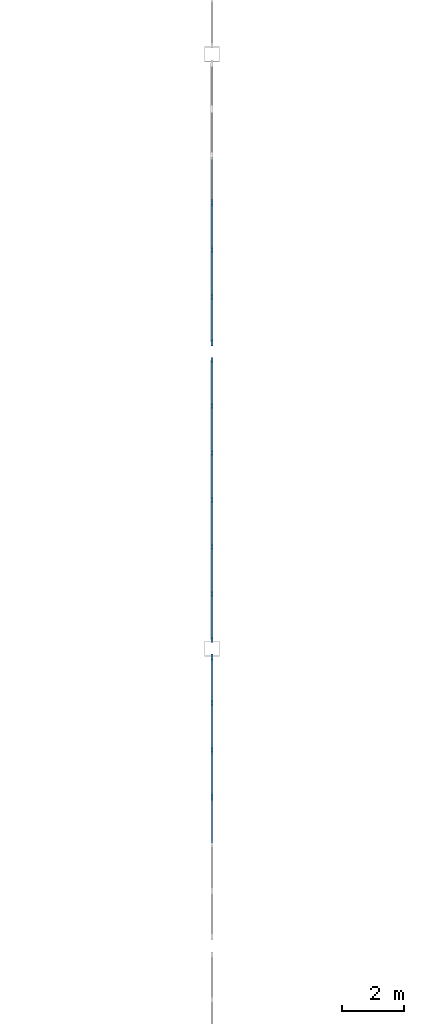
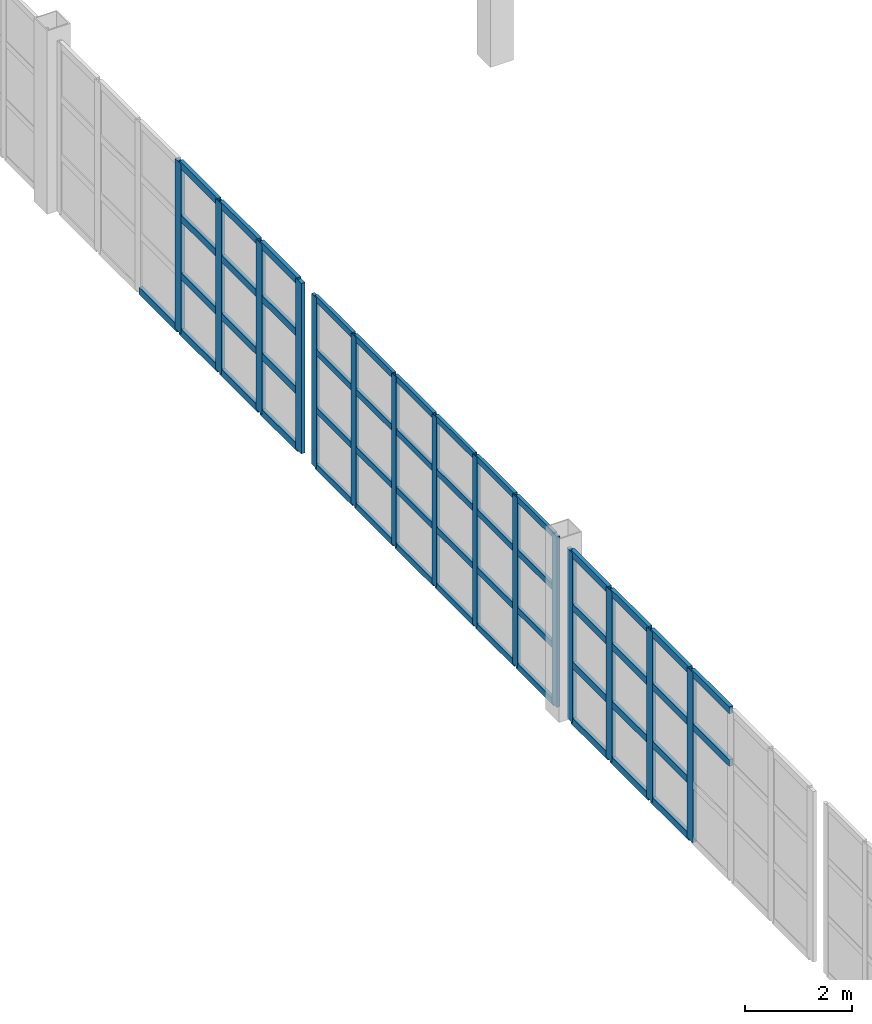
# One storey, part 32 of 82: 66 members, 3 elements without a shape of their own.
"""IFC4 building model written with IfcOpenShell, lengths in metres."""

from ifc_helpers import new_model, si_unit, direction, frame, origin, origin_2d, place, context, subcontext, project, spatial, rectangle, extrude, material, layer, layer_set, material_profile, profile_set, type_object, element, aggregate, save


model = new_model("IFC4")

# Units and contexts
model_context = context("Model", 3, precision=1e-05, world=origin(), true_north=direction((0.0, 1.0)))
body_context = subcontext(model_context, "Body", "Model", "MODEL_VIEW")
ifc_project = project(units=[si_unit("LENGTHUNIT", "METRE"), si_unit("AREAUNIT", "SQUARE_METRE"), si_unit("VOLUMEUNIT", "CUBIC_METRE"), si_unit("PLANEANGLEUNIT", "RADIAN"), si_unit("MASSUNIT", "GRAM", prefix="KILO")], contexts=[model_context])

# Site, building, storey
site_placement = place(None, origin())
site = spatial("IfcSite", under=ifc_project, at=site_placement, CompositionType="ELEMENT")
building_placement = place(site_placement, origin())
building = spatial("IfcBuilding", under=site, at=building_placement, Name="Zarnetskaya Central Station", CompositionType="ELEMENT")
storey_placement = place(building_placement, frame((0.0, 0.0, 10.199951171875)))
storey = spatial("IfcBuildingStorey", under=building, at=storey_placement, Name="L02", CompositionType="ELEMENT", Elevation=10.199951171875)

# Curtain wall, members
ifc_material_1 = material(Name="Low-E insulated glass", Category="glass")
ifc_layer = layer(ifc_material_1, 0.1640625, Name="Low-E insulated glass", Category="glass")
ifc_layer_set = layer_set([ifc_layer], Name="Low-E insulated glass")
curtain_wall_type = type_object("IfcCurtainWallType", Name="CW-SYS-12", PredefinedType="USERDEFINED", material=ifc_layer_set)
curtain_wall_1_placement = place(storey_placement, origin())
curtain_wall_1 = element("IfcCurtainWall", 1, at=curtain_wall_1_placement, inside=storey, type_object=curtain_wall_type, Name="Curtain wall CW-L02-165", ObjectType="CURTAIN WALL", PredefinedType="USERDEFINED")
ifc_material_2 = material(Name="Anodised aluminium", Category="aluminium")
ifc_material_profile_1 = material_profile(ifc_material_2, rectangle(XDim=0.070068359375, YDim=0.179931640625, at=origin_2d()), Name="ALU MULL 70x180")
ifc_profile_set_1 = profile_set([ifc_material_profile_1], Name="Anodised aluminium")
member_type_1 = type_object("IfcMemberType", Name="CW-MULL-180", PredefinedType="MULLION", material=ifc_profile_set_1)
member_1_placement = place(storey_placement, frame((57.60009765625, 86.68505859375, 0.0), z_axis=(0.0, 0.0, 1.0), x_axis=(-1.0, 0.0, 0.0)))
member_1 = element("IfcMember", 2, at=member_1_placement, type_object=member_type_1, Name="CW-18 mullion 1", PredefinedType="MULLION", context=body_context, shape_type="SweptSolid", body=[
    extrude(rectangle(XDim=0.070068359375, YDim=0.179931640625, at=origin_2d()), origin(), (0.0, 0.0, 1.0), 3.900146484375),
])
member_2_placement = place(storey_placement, frame((57.60009765625, 88.166748046875, 0.0), z_axis=(0.0, 0.0, 1.0), x_axis=(-1.0, 0.0, 0.0)))
member_2 = element("IfcMember", 3, at=member_2_placement, type_object=member_type_1, Name="CW-18 mullion 2", PredefinedType="MULLION", context=body_context, shape_type="SweptSolid", body=[
    extrude(rectangle(XDim=0.070068359375, YDim=0.179931640625, at=origin_2d()), origin(), (0.0, 0.0, 1.0), 3.900146484375),
])
member_3_placement = place(storey_placement, frame((57.60009765625, 89.683349609375, 0.0), z_axis=(0.0, 0.0, 1.0), x_axis=(-1.0, 0.0, 0.0)))
member_3 = element("IfcMember", 4, at=member_3_placement, type_object=member_type_1, Name="CW-18 mullion 3", PredefinedType="MULLION", context=body_context, shape_type="SweptSolid", body=[
    extrude(rectangle(XDim=0.070068359375, YDim=0.179931640625, at=origin_2d()), origin(), (0.0, 0.0, 1.0), 3.900146484375),
])
member_4_placement = place(storey_placement, frame((57.60009765625, 91.199951171875, 0.0), z_axis=(0.0, 0.0, 1.0), x_axis=(-1.0, 0.0, 0.0)))
member_4 = element("IfcMember", 5, at=member_4_placement, type_object=member_type_1, Name="CW-18 mullion 4", PredefinedType="MULLION", context=body_context, shape_type="SweptSolid", body=[
    extrude(rectangle(XDim=0.070068359375, YDim=0.179931640625, at=origin_2d()), origin(), (0.0, 0.0, 1.0), 3.900146484375),
])
member_5_placement = place(storey_placement, frame((57.60009765625, 92.716552734375, 0.0), z_axis=(0.0, 0.0, 1.0), x_axis=(-1.0, 0.0, 0.0)))
member_5 = element("IfcMember", 6, at=member_5_placement, type_object=member_type_1, Name="CW-18 mullion 5", PredefinedType="MULLION", context=body_context, shape_type="SweptSolid", body=[
    extrude(rectangle(XDim=0.070068359375, YDim=0.179931640625, at=origin_2d()), origin(), (0.0, 0.0, 1.0), 3.900146484375),
])
member_6_placement = place(storey_placement, frame((57.60009765625, 94.2333984375, 0.0), z_axis=(0.0, 0.0, 1.0), x_axis=(-1.0, 0.0, 0.0)))
member_6 = element("IfcMember", 7, at=member_6_placement, type_object=member_type_1, Name="CW-18 mullion 6", PredefinedType="MULLION", context=body_context, shape_type="SweptSolid", body=[
    extrude(rectangle(XDim=0.070068359375, YDim=0.179931640625, at=origin_2d()), origin(), (0.0, 0.0, 1.0), 3.900146484375),
])
member_7_placement = place(storey_placement, frame((57.60009765625, 95.715087890625, 0.0), z_axis=(0.0, 0.0, 1.0), x_axis=(-1.0, 0.0, 0.0)))
member_7 = element("IfcMember", 8, at=member_7_placement, type_object=member_type_1, Name="CW-18 mullion 7", PredefinedType="MULLION", context=body_context, shape_type="SweptSolid", body=[
    extrude(rectangle(XDim=0.070068359375, YDim=0.179931640625, at=origin_2d()), origin(), (0.0, 0.0, 1.0), 3.900146484375),
])

curtain_wall_2_placement = place(storey_placement, origin())
curtain_wall_2 = element("IfcCurtainWall", 9, at=curtain_wall_2_placement, inside=storey, type_object=curtain_wall_type, Name="Curtain wall CW-L02-164", ObjectType="CURTAIN WALL", PredefinedType="USERDEFINED")
ifc_material_profile_2 = material_profile(ifc_material_2, rectangle(XDim=0.080078125, YDim=0.219970703125, at=origin_2d()), Name="ALU MULL 80x220")
ifc_profile_set_2 = profile_set([ifc_material_profile_2], Name="Anodised aluminium")
member_type_2 = type_object("IfcMemberType", Name="CW-MULL-220", PredefinedType="MULLION", material=ifc_profile_set_2)
member_8_placement = place(storey_placement, frame((57.60009765625, 81.60009765625, 0.0), z_axis=(0.0, 0.0, 1.0), x_axis=(-1.0, 0.0, 0.0)))
member_8 = element("IfcMember", 10, at=member_8_placement, type_object=member_type_2, Name="CW-18 mullion 4", PredefinedType="MULLION", context=body_context, shape_type="SweptSolid", body=[
    extrude(rectangle(XDim=0.080078125, YDim=0.219970703125, at=origin_2d()), origin(), (0.0, 0.0, 1.0), 3.900146484375),
])
member_9_placement = place(storey_placement, frame((57.60009765625, 83.11669921875, 0.0), z_axis=(0.0, 0.0, 1.0), x_axis=(-1.0, 0.0, 0.0)))
member_9 = element("IfcMember", 11, at=member_9_placement, type_object=member_type_2, Name="CW-18 mullion 5", PredefinedType="MULLION", context=body_context, shape_type="SweptSolid", body=[
    extrude(rectangle(XDim=0.080078125, YDim=0.219970703125, at=origin_2d()), origin(), (0.0, 0.0, 1.0), 3.900146484375),
])
member_10_placement = place(storey_placement, frame((57.60009765625, 84.63330078125, 0.0), z_axis=(0.0, 0.0, 1.0), x_axis=(-1.0, 0.0, 0.0)))
member_10 = element("IfcMember", 12, at=member_10_placement, type_object=member_type_2, Name="CW-18 mullion 6", PredefinedType="MULLION", context=body_context, shape_type="SweptSolid", body=[
    extrude(rectangle(XDim=0.080078125, YDim=0.219970703125, at=origin_2d()), origin(), (0.0, 0.0, 1.0), 3.900146484375),
])
member_11_placement = place(storey_placement, frame((57.60009765625, 86.110107421875, 0.0), z_axis=(0.0, 0.0, 1.0), x_axis=(-1.0, 0.0, 0.0)))
member_11 = element("IfcMember", 13, at=member_11_placement, type_object=member_type_2, Name="CW-18 mullion 7", PredefinedType="MULLION", context=body_context, shape_type="SweptSolid", body=[
    extrude(rectangle(XDim=0.080078125, YDim=0.219970703125, at=origin_2d()), origin(), (0.0, 0.0, 1.0), 3.900146484375),
])

curtain_wall_3_placement = place(storey_placement, origin())
curtain_wall_3 = element("IfcCurtainWall", 14, at=curtain_wall_3_placement, inside=storey, type_object=curtain_wall_type, Name="Curtain wall CW-L02-166", ObjectType="CURTAIN WALL", PredefinedType="USERDEFINED")
member_12_placement = place(storey_placement, frame((57.60009765625, 96.2900390625, 0.0), z_axis=(0.0, 0.0, 1.0), x_axis=(-1.0, 0.0, 0.0)))
member_12 = element("IfcMember", 15, at=member_12_placement, type_object=member_type_2, Name="CW-18 mullion 1", PredefinedType="MULLION", context=body_context, shape_type="SweptSolid", body=[
    extrude(rectangle(XDim=0.080078125, YDim=0.219970703125, at=origin_2d()), origin(), (0.0, 0.0, 1.0), 3.900146484375),
])
member_13_placement = place(storey_placement, frame((57.60009765625, 97.7666015625, 0.0), z_axis=(0.0, 0.0, 1.0), x_axis=(-1.0, 0.0, 0.0)))
member_13 = element("IfcMember", 16, at=member_13_placement, type_object=member_type_2, Name="CW-18 mullion 2", PredefinedType="MULLION", context=body_context, shape_type="SweptSolid", body=[
    extrude(rectangle(XDim=0.080078125, YDim=0.219970703125, at=origin_2d()), origin(), (0.0, 0.0, 1.0), 3.900146484375),
])
member_14_placement = place(storey_placement, frame((57.60009765625, 99.283447265625, 0.0), z_axis=(0.0, 0.0, 1.0), x_axis=(-1.0, 0.0, 0.0)))
member_14 = element("IfcMember", 17, at=member_14_placement, type_object=member_type_2, Name="CW-18 mullion 3", PredefinedType="MULLION", context=body_context, shape_type="SweptSolid", body=[
    extrude(rectangle(XDim=0.080078125, YDim=0.219970703125, at=origin_2d()), origin(), (0.0, 0.0, 1.0), 3.900146484375),
])
member_15_placement = place(storey_placement, frame((57.60009765625, 100.800048828125, 0.0), z_axis=(0.0, 0.0, 1.0), x_axis=(-1.0, 0.0, 0.0)))
member_15 = element("IfcMember", 18, at=member_15_placement, type_object=member_type_2, Name="CW-18 mullion 4", PredefinedType="MULLION", context=body_context, shape_type="SweptSolid", body=[
    extrude(rectangle(XDim=0.080078125, YDim=0.219970703125, at=origin_2d()), origin(), (0.0, 0.0, 1.0), 3.900146484375),
])

# Member
ifc_material_profile_3 = material_profile(ifc_material_2, rectangle(XDim=0.070068359375, YDim=0.139892578125, at=origin_2d()), Name="ALU TRAN 70x140")
ifc_profile_set_3 = profile_set([ifc_material_profile_3], Name="Anodised aluminium")
member_type_3 = type_object("IfcMemberType", Name="CW-TRAN-140", PredefinedType="USERDEFINED", material=ifc_profile_set_3)
member_16_placement = place(storey_placement, frame((57.60009765625, 86.719970703125, 0.03515625), z_axis=(0.0, 1.0, 0.0), x_axis=(-1.0, 0.0, 0.0)))
member_16 = element("IfcMember", 19, at=member_16_placement, type_object=member_type_3, Name="CW-18 transom 1.1", ObjectType="TRANSOM", PredefinedType="USERDEFINED", context=body_context, shape_type="SweptSolid", body=[
    extrude(rectangle(XDim=0.070068359375, YDim=0.139892578125, at=origin_2d()), origin(), (0.0, 0.0, 1.0), 1.41162109375),
])

member_17_placement = place(storey_placement, frame((57.60009765625, 86.719970703125, 1.325927734375), z_axis=(0.0, 1.0, 0.0), x_axis=(-1.0, 0.0, 0.0)))
member_17 = element("IfcMember", 20, at=member_17_placement, type_object=member_type_3, Name="CW-18 transom 1.2", ObjectType="TRANSOM", PredefinedType="USERDEFINED", context=body_context, shape_type="SweptSolid", body=[
    extrude(rectangle(XDim=0.070068359375, YDim=0.139892578125, at=origin_2d()), origin(), (0.0, 0.0, 1.0), 1.41162109375),
])

member_18_placement = place(storey_placement, frame((57.60009765625, 86.719970703125, 2.652099609375), z_axis=(0.0, 1.0, 0.0), x_axis=(-1.0, 0.0, 0.0)))
member_18 = element("IfcMember", 21, at=member_18_placement, type_object=member_type_3, Name="CW-18 transom 1.3", ObjectType="TRANSOM", PredefinedType="USERDEFINED", context=body_context, shape_type="SweptSolid", body=[
    extrude(rectangle(XDim=0.070068359375, YDim=0.139892578125, at=origin_2d()), origin(), (0.0, 0.0, 1.0), 1.41162109375),
])

member_19_placement = place(storey_placement, frame((57.60009765625, 86.719970703125, 3.864990234375), z_axis=(0.0, 1.0, 0.0), x_axis=(-1.0, 0.0, 0.0)))
member_19 = element("IfcMember", 22, at=member_19_placement, type_object=member_type_3, Name="CW-18 transom 1.4", ObjectType="TRANSOM", PredefinedType="USERDEFINED", context=body_context, shape_type="SweptSolid", body=[
    extrude(rectangle(XDim=0.070068359375, YDim=0.139892578125, at=origin_2d()), origin(), (0.0, 0.0, 1.0), 1.41162109375),
])

member_20_placement = place(storey_placement, frame((57.60009765625, 88.20166015625, 0.03515625), z_axis=(0.0, 1.0, 0.0), x_axis=(-1.0, 0.0, 0.0)))
member_20 = element("IfcMember", 23, at=member_20_placement, type_object=member_type_3, Name="CW-18 transom 2.1", ObjectType="TRANSOM", PredefinedType="USERDEFINED", context=body_context, shape_type="SweptSolid", body=[
    extrude(rectangle(XDim=0.070068359375, YDim=0.139892578125, at=origin_2d()), origin(), (0.0, 0.0, 1.0), 1.44677734375),
])

member_21_placement = place(storey_placement, frame((57.60009765625, 88.20166015625, 1.325927734375), z_axis=(0.0, 1.0, 0.0), x_axis=(-1.0, 0.0, 0.0)))
member_21 = element("IfcMember", 24, at=member_21_placement, type_object=member_type_3, Name="CW-18 transom 2.2", ObjectType="TRANSOM", PredefinedType="USERDEFINED", context=body_context, shape_type="SweptSolid", body=[
    extrude(rectangle(XDim=0.070068359375, YDim=0.139892578125, at=origin_2d()), origin(), (0.0, 0.0, 1.0), 1.44677734375),
])

member_22_placement = place(storey_placement, frame((57.60009765625, 88.20166015625, 2.652099609375), z_axis=(0.0, 1.0, 0.0), x_axis=(-1.0, 0.0, 0.0)))
member_22 = element("IfcMember", 25, at=member_22_placement, type_object=member_type_3, Name="CW-18 transom 2.3", ObjectType="TRANSOM", PredefinedType="USERDEFINED", context=body_context, shape_type="SweptSolid", body=[
    extrude(rectangle(XDim=0.070068359375, YDim=0.139892578125, at=origin_2d()), origin(), (0.0, 0.0, 1.0), 1.44677734375),
])

member_23_placement = place(storey_placement, frame((57.60009765625, 88.20166015625, 3.864990234375), z_axis=(0.0, 1.0, 0.0), x_axis=(-1.0, 0.0, 0.0)))
member_23 = element("IfcMember", 26, at=member_23_placement, type_object=member_type_3, Name="CW-18 transom 2.4", ObjectType="TRANSOM", PredefinedType="USERDEFINED", context=body_context, shape_type="SweptSolid", body=[
    extrude(rectangle(XDim=0.070068359375, YDim=0.139892578125, at=origin_2d()), origin(), (0.0, 0.0, 1.0), 1.44677734375),
])

member_24_placement = place(storey_placement, frame((57.60009765625, 89.71826171875, 0.03515625), z_axis=(0.0, 1.0, 0.0), x_axis=(-1.0, 0.0, 0.0)))
member_24 = element("IfcMember", 27, at=member_24_placement, type_object=member_type_3, Name="CW-18 transom 3.1", ObjectType="TRANSOM", PredefinedType="USERDEFINED", context=body_context, shape_type="SweptSolid", body=[
    extrude(rectangle(XDim=0.070068359375, YDim=0.139892578125, at=origin_2d()), origin(), (0.0, 0.0, 1.0), 1.44677734375),
])

member_25_placement = place(storey_placement, frame((57.60009765625, 89.71826171875, 1.325927734375), z_axis=(0.0, 1.0, 0.0), x_axis=(-1.0, 0.0, 0.0)))
member_25 = element("IfcMember", 28, at=member_25_placement, type_object=member_type_3, Name="CW-18 transom 3.2", ObjectType="TRANSOM", PredefinedType="USERDEFINED", context=body_context, shape_type="SweptSolid", body=[
    extrude(rectangle(XDim=0.070068359375, YDim=0.139892578125, at=origin_2d()), origin(), (0.0, 0.0, 1.0), 1.44677734375),
])

member_26_placement = place(storey_placement, frame((57.60009765625, 89.71826171875, 2.652099609375), z_axis=(0.0, 1.0, 0.0), x_axis=(-1.0, 0.0, 0.0)))
member_26 = element("IfcMember", 29, at=member_26_placement, type_object=member_type_3, Name="CW-18 transom 3.3", ObjectType="TRANSOM", PredefinedType="USERDEFINED", context=body_context, shape_type="SweptSolid", body=[
    extrude(rectangle(XDim=0.070068359375, YDim=0.139892578125, at=origin_2d()), origin(), (0.0, 0.0, 1.0), 1.44677734375),
])

member_27_placement = place(storey_placement, frame((57.60009765625, 89.71826171875, 3.864990234375), z_axis=(0.0, 1.0, 0.0), x_axis=(-1.0, 0.0, 0.0)))
member_27 = element("IfcMember", 30, at=member_27_placement, type_object=member_type_3, Name="CW-18 transom 3.4", ObjectType="TRANSOM", PredefinedType="USERDEFINED", context=body_context, shape_type="SweptSolid", body=[
    extrude(rectangle(XDim=0.070068359375, YDim=0.139892578125, at=origin_2d()), origin(), (0.0, 0.0, 1.0), 1.44677734375),
])

member_28_placement = place(storey_placement, frame((57.60009765625, 91.235107421875, 0.03515625), z_axis=(0.0, 1.0, 0.0), x_axis=(-1.0, 0.0, 0.0)))
member_28 = element("IfcMember", 31, at=member_28_placement, type_object=member_type_3, Name="CW-18 transom 4.1", ObjectType="TRANSOM", PredefinedType="USERDEFINED", context=body_context, shape_type="SweptSolid", body=[
    extrude(rectangle(XDim=0.070068359375, YDim=0.139892578125, at=origin_2d()), origin(), (0.0, 0.0, 1.0), 1.446533203125),
])

member_29_placement = place(storey_placement, frame((57.60009765625, 91.235107421875, 1.325927734375), z_axis=(0.0, 1.0, 0.0), x_axis=(-1.0, 0.0, 0.0)))
member_29 = element("IfcMember", 32, at=member_29_placement, type_object=member_type_3, Name="CW-18 transom 4.2", ObjectType="TRANSOM", PredefinedType="USERDEFINED", context=body_context, shape_type="SweptSolid", body=[
    extrude(rectangle(XDim=0.070068359375, YDim=0.139892578125, at=origin_2d()), origin(), (0.0, 0.0, 1.0), 1.446533203125),
])

member_30_placement = place(storey_placement, frame((57.60009765625, 91.235107421875, 2.652099609375), z_axis=(0.0, 1.0, 0.0), x_axis=(-1.0, 0.0, 0.0)))
member_30 = element("IfcMember", 33, at=member_30_placement, type_object=member_type_3, Name="CW-18 transom 4.3", ObjectType="TRANSOM", PredefinedType="USERDEFINED", context=body_context, shape_type="SweptSolid", body=[
    extrude(rectangle(XDim=0.070068359375, YDim=0.139892578125, at=origin_2d()), origin(), (0.0, 0.0, 1.0), 1.446533203125),
])

member_31_placement = place(storey_placement, frame((57.60009765625, 91.235107421875, 3.864990234375), z_axis=(0.0, 1.0, 0.0), x_axis=(-1.0, 0.0, 0.0)))
member_31 = element("IfcMember", 34, at=member_31_placement, type_object=member_type_3, Name="CW-18 transom 4.4", ObjectType="TRANSOM", PredefinedType="USERDEFINED", context=body_context, shape_type="SweptSolid", body=[
    extrude(rectangle(XDim=0.070068359375, YDim=0.139892578125, at=origin_2d()), origin(), (0.0, 0.0, 1.0), 1.446533203125),
])

member_32_placement = place(storey_placement, frame((57.60009765625, 92.751708984375, 0.03515625), z_axis=(0.0, 1.0, 0.0), x_axis=(-1.0, 0.0, 0.0)))
member_32 = element("IfcMember", 35, at=member_32_placement, type_object=member_type_3, Name="CW-18 transom 5.1", ObjectType="TRANSOM", PredefinedType="USERDEFINED", context=body_context, shape_type="SweptSolid", body=[
    extrude(rectangle(XDim=0.070068359375, YDim=0.139892578125, at=origin_2d()), origin(), (0.0, 0.0, 1.0), 1.446533203125),
])

member_33_placement = place(storey_placement, frame((57.60009765625, 92.751708984375, 1.325927734375), z_axis=(0.0, 1.0, 0.0), x_axis=(-1.0, 0.0, 0.0)))
member_33 = element("IfcMember", 36, at=member_33_placement, type_object=member_type_3, Name="CW-18 transom 5.2", ObjectType="TRANSOM", PredefinedType="USERDEFINED", context=body_context, shape_type="SweptSolid", body=[
    extrude(rectangle(XDim=0.070068359375, YDim=0.139892578125, at=origin_2d()), origin(), (0.0, 0.0, 1.0), 1.446533203125),
])

member_34_placement = place(storey_placement, frame((57.60009765625, 92.751708984375, 2.652099609375), z_axis=(0.0, 1.0, 0.0), x_axis=(-1.0, 0.0, 0.0)))
member_34 = element("IfcMember", 37, at=member_34_placement, type_object=member_type_3, Name="CW-18 transom 5.3", ObjectType="TRANSOM", PredefinedType="USERDEFINED", context=body_context, shape_type="SweptSolid", body=[
    extrude(rectangle(XDim=0.070068359375, YDim=0.139892578125, at=origin_2d()), origin(), (0.0, 0.0, 1.0), 1.446533203125),
])

member_35_placement = place(storey_placement, frame((57.60009765625, 92.751708984375, 3.864990234375), z_axis=(0.0, 1.0, 0.0), x_axis=(-1.0, 0.0, 0.0)))
member_35 = element("IfcMember", 38, at=member_35_placement, type_object=member_type_3, Name="CW-18 transom 5.4", ObjectType="TRANSOM", PredefinedType="USERDEFINED", context=body_context, shape_type="SweptSolid", body=[
    extrude(rectangle(XDim=0.070068359375, YDim=0.139892578125, at=origin_2d()), origin(), (0.0, 0.0, 1.0), 1.446533203125),
])

member_36_placement = place(storey_placement, frame((57.60009765625, 94.268310546875, 0.03515625), z_axis=(0.0, 1.0, 0.0), x_axis=(-1.0, 0.0, 0.0)))
member_36 = element("IfcMember", 39, at=member_36_placement, type_object=member_type_3, Name="CW-18 transom 6.1", ObjectType="TRANSOM", PredefinedType="USERDEFINED", context=body_context, shape_type="SweptSolid", body=[
    extrude(rectangle(XDim=0.070068359375, YDim=0.139892578125, at=origin_2d()), origin(), (0.0, 0.0, 1.0), 1.41162109375),
])

member_37_placement = place(storey_placement, frame((57.60009765625, 94.268310546875, 1.325927734375), z_axis=(0.0, 1.0, 0.0), x_axis=(-1.0, 0.0, 0.0)))
member_37 = element("IfcMember", 40, at=member_37_placement, type_object=member_type_3, Name="CW-18 transom 6.2", ObjectType="TRANSOM", PredefinedType="USERDEFINED", context=body_context, shape_type="SweptSolid", body=[
    extrude(rectangle(XDim=0.070068359375, YDim=0.139892578125, at=origin_2d()), origin(), (0.0, 0.0, 1.0), 1.41162109375),
])

member_38_placement = place(storey_placement, frame((57.60009765625, 94.268310546875, 2.652099609375), z_axis=(0.0, 1.0, 0.0), x_axis=(-1.0, 0.0, 0.0)))
member_38 = element("IfcMember", 41, at=member_38_placement, type_object=member_type_3, Name="CW-18 transom 6.3", ObjectType="TRANSOM", PredefinedType="USERDEFINED", context=body_context, shape_type="SweptSolid", body=[
    extrude(rectangle(XDim=0.070068359375, YDim=0.139892578125, at=origin_2d()), origin(), (0.0, 0.0, 1.0), 1.41162109375),
])

member_39_placement = place(storey_placement, frame((57.60009765625, 94.268310546875, 3.864990234375), z_axis=(0.0, 1.0, 0.0), x_axis=(-1.0, 0.0, 0.0)))
member_39 = element("IfcMember", 42, at=member_39_placement, type_object=member_type_3, Name="CW-18 transom 6.4", ObjectType="TRANSOM", PredefinedType="USERDEFINED", context=body_context, shape_type="SweptSolid", body=[
    extrude(rectangle(XDim=0.070068359375, YDim=0.139892578125, at=origin_2d()), origin(), (0.0, 0.0, 1.0), 1.41162109375),
])

aggregate(curtain_wall_1, [member_1, member_2, member_3, member_4, member_5, member_6, member_7, member_16, member_17, member_18, member_19, member_20, member_21, member_22, member_23, member_24, member_25, member_26, member_27, member_28, member_29, member_30, member_31, member_32, member_33, member_34, member_35, member_36, member_37, member_38, member_39])

ifc_material_profile_4 = material_profile(ifc_material_2, rectangle(XDim=0.080078125, YDim=0.159912109375, at=origin_2d()), Name="ALU TRAN 80x160")
ifc_profile_set_4 = profile_set([ifc_material_profile_4], Name="Anodised aluminium")
member_type_4 = type_object("IfcMemberType", Name="CW-TRAN-160", PredefinedType="USERDEFINED", material=ifc_profile_set_4)
member_40_placement = place(storey_placement, frame((57.60009765625, 80.123291015625, 2.652099609375), z_axis=(0.0, 1.0, 0.0), x_axis=(-1.0, 0.0, 0.0)))
member_40 = element("IfcMember", 43, at=member_40_placement, type_object=member_type_4, Name="CW-18 transom 3.3", ObjectType="TRANSOM", PredefinedType="USERDEFINED", context=body_context, shape_type="SweptSolid", body=[
    extrude(rectangle(XDim=0.080078125, YDim=0.159912109375, at=origin_2d()), origin(), (0.0, 0.0, 1.0), 1.436767578125),
])

member_41_placement = place(storey_placement, frame((57.60009765625, 80.123291015625, 3.860107421875), z_axis=(0.0, 1.0, 0.0), x_axis=(-1.0, 0.0, 0.0)))
member_41 = element("IfcMember", 44, at=member_41_placement, type_object=member_type_4, Name="CW-18 transom 3.4", ObjectType="TRANSOM", PredefinedType="USERDEFINED", context=body_context, shape_type="SweptSolid", body=[
    extrude(rectangle(XDim=0.080078125, YDim=0.159912109375, at=origin_2d()), origin(), (0.0, 0.0, 1.0), 1.436767578125),
])

member_42_placement = place(storey_placement, frame((57.60009765625, 81.639892578125, 0.0400390625), z_axis=(0.0, 1.0, 0.0), x_axis=(-1.0, 0.0, 0.0)))
member_42 = element("IfcMember", 45, at=member_42_placement, type_object=member_type_4, Name="CW-18 transom 4.1", ObjectType="TRANSOM", PredefinedType="USERDEFINED", context=body_context, shape_type="SweptSolid", body=[
    extrude(rectangle(XDim=0.080078125, YDim=0.159912109375, at=origin_2d()), origin(), (0.0, 0.0, 1.0), 1.436767578125),
])

member_43_placement = place(storey_placement, frame((57.60009765625, 81.639892578125, 1.325927734375), z_axis=(0.0, 1.0, 0.0), x_axis=(-1.0, 0.0, 0.0)))
member_43 = element("IfcMember", 46, at=member_43_placement, type_object=member_type_4, Name="CW-18 transom 4.2", ObjectType="TRANSOM", PredefinedType="USERDEFINED", context=body_context, shape_type="SweptSolid", body=[
    extrude(rectangle(XDim=0.080078125, YDim=0.159912109375, at=origin_2d()), origin(), (0.0, 0.0, 1.0), 1.436767578125),
])

member_44_placement = place(storey_placement, frame((57.60009765625, 81.639892578125, 2.652099609375), z_axis=(0.0, 1.0, 0.0), x_axis=(-1.0, 0.0, 0.0)))
member_44 = element("IfcMember", 47, at=member_44_placement, type_object=member_type_4, Name="CW-18 transom 4.3", ObjectType="TRANSOM", PredefinedType="USERDEFINED", context=body_context, shape_type="SweptSolid", body=[
    extrude(rectangle(XDim=0.080078125, YDim=0.159912109375, at=origin_2d()), origin(), (0.0, 0.0, 1.0), 1.436767578125),
])

member_45_placement = place(storey_placement, frame((57.60009765625, 81.639892578125, 3.860107421875), z_axis=(0.0, 1.0, 0.0), x_axis=(-1.0, 0.0, 0.0)))
member_45 = element("IfcMember", 48, at=member_45_placement, type_object=member_type_4, Name="CW-18 transom 4.4", ObjectType="TRANSOM", PredefinedType="USERDEFINED", context=body_context, shape_type="SweptSolid", body=[
    extrude(rectangle(XDim=0.080078125, YDim=0.159912109375, at=origin_2d()), origin(), (0.0, 0.0, 1.0), 1.436767578125),
])

member_46_placement = place(storey_placement, frame((57.60009765625, 83.15673828125, 0.0400390625), z_axis=(0.0, 1.0, 0.0), x_axis=(-1.0, 0.0, 0.0)))
member_46 = element("IfcMember", 49, at=member_46_placement, type_object=member_type_4, Name="CW-18 transom 5.1", ObjectType="TRANSOM", PredefinedType="USERDEFINED", context=body_context, shape_type="SweptSolid", body=[
    extrude(rectangle(XDim=0.080078125, YDim=0.159912109375, at=origin_2d()), origin(), (0.0, 0.0, 1.0), 1.4365234375),
])

member_47_placement = place(storey_placement, frame((57.60009765625, 83.15673828125, 1.325927734375), z_axis=(0.0, 1.0, 0.0), x_axis=(-1.0, 0.0, 0.0)))
member_47 = element("IfcMember", 50, at=member_47_placement, type_object=member_type_4, Name="CW-18 transom 5.2", ObjectType="TRANSOM", PredefinedType="USERDEFINED", context=body_context, shape_type="SweptSolid", body=[
    extrude(rectangle(XDim=0.080078125, YDim=0.159912109375, at=origin_2d()), origin(), (0.0, 0.0, 1.0), 1.4365234375),
])

member_48_placement = place(storey_placement, frame((57.60009765625, 83.15673828125, 2.652099609375), z_axis=(0.0, 1.0, 0.0), x_axis=(-1.0, 0.0, 0.0)))
member_48 = element("IfcMember", 51, at=member_48_placement, type_object=member_type_4, Name="CW-18 transom 5.3", ObjectType="TRANSOM", PredefinedType="USERDEFINED", context=body_context, shape_type="SweptSolid", body=[
    extrude(rectangle(XDim=0.080078125, YDim=0.159912109375, at=origin_2d()), origin(), (0.0, 0.0, 1.0), 1.4365234375),
])

member_49_placement = place(storey_placement, frame((57.60009765625, 83.15673828125, 3.860107421875), z_axis=(0.0, 1.0, 0.0), x_axis=(-1.0, 0.0, 0.0)))
member_49 = element("IfcMember", 52, at=member_49_placement, type_object=member_type_4, Name="CW-18 transom 5.4", ObjectType="TRANSOM", PredefinedType="USERDEFINED", context=body_context, shape_type="SweptSolid", body=[
    extrude(rectangle(XDim=0.080078125, YDim=0.159912109375, at=origin_2d()), origin(), (0.0, 0.0, 1.0), 1.4365234375),
])

member_50_placement = place(storey_placement, frame((57.60009765625, 84.67333984375, 0.0400390625), z_axis=(0.0, 1.0, 0.0), x_axis=(-1.0, 0.0, 0.0)))
member_50 = element("IfcMember", 53, at=member_50_placement, type_object=member_type_4, Name="CW-18 transom 6.1", ObjectType="TRANSOM", PredefinedType="USERDEFINED", context=body_context, shape_type="SweptSolid", body=[
    extrude(rectangle(XDim=0.080078125, YDim=0.159912109375, at=origin_2d()), origin(), (0.0, 0.0, 1.0), 1.396728515625),
])

member_51_placement = place(storey_placement, frame((57.60009765625, 84.67333984375, 1.325927734375), z_axis=(0.0, 1.0, 0.0), x_axis=(-1.0, 0.0, 0.0)))
member_51 = element("IfcMember", 54, at=member_51_placement, type_object=member_type_4, Name="CW-18 transom 6.2", ObjectType="TRANSOM", PredefinedType="USERDEFINED", context=body_context, shape_type="SweptSolid", body=[
    extrude(rectangle(XDim=0.080078125, YDim=0.159912109375, at=origin_2d()), origin(), (0.0, 0.0, 1.0), 1.396728515625),
])

member_52_placement = place(storey_placement, frame((57.60009765625, 84.67333984375, 2.652099609375), z_axis=(0.0, 1.0, 0.0), x_axis=(-1.0, 0.0, 0.0)))
member_52 = element("IfcMember", 55, at=member_52_placement, type_object=member_type_4, Name="CW-18 transom 6.3", ObjectType="TRANSOM", PredefinedType="USERDEFINED", context=body_context, shape_type="SweptSolid", body=[
    extrude(rectangle(XDim=0.080078125, YDim=0.159912109375, at=origin_2d()), origin(), (0.0, 0.0, 1.0), 1.396728515625),
])

member_53_placement = place(storey_placement, frame((57.60009765625, 84.67333984375, 3.860107421875), z_axis=(0.0, 1.0, 0.0), x_axis=(-1.0, 0.0, 0.0)))
member_53 = element("IfcMember", 56, at=member_53_placement, type_object=member_type_4, Name="CW-18 transom 6.4", ObjectType="TRANSOM", PredefinedType="USERDEFINED", context=body_context, shape_type="SweptSolid", body=[
    extrude(rectangle(XDim=0.080078125, YDim=0.159912109375, at=origin_2d()), origin(), (0.0, 0.0, 1.0), 1.396728515625),
])

aggregate(curtain_wall_2, [member_8, member_9, member_10, member_11, member_40, member_41, member_42, member_43, member_44, member_45, member_46, member_47, member_48, member_49, member_50, member_51, member_52, member_53])

member_54_placement = place(storey_placement, frame((57.60009765625, 96.330078125, 0.0400390625), z_axis=(0.0, 1.0, 0.0), x_axis=(-1.0, 0.0, 0.0)))
member_54 = element("IfcMember", 57, at=member_54_placement, type_object=member_type_4, Name="CW-18 transom 1.1", ObjectType="TRANSOM", PredefinedType="USERDEFINED", context=body_context, shape_type="SweptSolid", body=[
    extrude(rectangle(XDim=0.080078125, YDim=0.159912109375, at=origin_2d()), origin(), (0.0, 0.0, 1.0), 1.396484375),
])

member_55_placement = place(storey_placement, frame((57.60009765625, 96.330078125, 1.325927734375), z_axis=(0.0, 1.0, 0.0), x_axis=(-1.0, 0.0, 0.0)))
member_55 = element("IfcMember", 58, at=member_55_placement, type_object=member_type_4, Name="CW-18 transom 1.2", ObjectType="TRANSOM", PredefinedType="USERDEFINED", context=body_context, shape_type="SweptSolid", body=[
    extrude(rectangle(XDim=0.080078125, YDim=0.159912109375, at=origin_2d()), origin(), (0.0, 0.0, 1.0), 1.396484375),
])

member_56_placement = place(storey_placement, frame((57.60009765625, 96.330078125, 2.652099609375), z_axis=(0.0, 1.0, 0.0), x_axis=(-1.0, 0.0, 0.0)))
member_56 = element("IfcMember", 59, at=member_56_placement, type_object=member_type_4, Name="CW-18 transom 1.3", ObjectType="TRANSOM", PredefinedType="USERDEFINED", context=body_context, shape_type="SweptSolid", body=[
    extrude(rectangle(XDim=0.080078125, YDim=0.159912109375, at=origin_2d()), origin(), (0.0, 0.0, 1.0), 1.396484375),
])

member_57_placement = place(storey_placement, frame((57.60009765625, 96.330078125, 3.860107421875), z_axis=(0.0, 1.0, 0.0), x_axis=(-1.0, 0.0, 0.0)))
member_57 = element("IfcMember", 60, at=member_57_placement, type_object=member_type_4, Name="CW-18 transom 1.4", ObjectType="TRANSOM", PredefinedType="USERDEFINED", context=body_context, shape_type="SweptSolid", body=[
    extrude(rectangle(XDim=0.080078125, YDim=0.159912109375, at=origin_2d()), origin(), (0.0, 0.0, 1.0), 1.396484375),
])

member_58_placement = place(storey_placement, frame((57.60009765625, 97.806640625, 0.0400390625), z_axis=(0.0, 1.0, 0.0), x_axis=(-1.0, 0.0, 0.0)))
member_58 = element("IfcMember", 61, at=member_58_placement, type_object=member_type_4, Name="CW-18 transom 2.1", ObjectType="TRANSOM", PredefinedType="USERDEFINED", context=body_context, shape_type="SweptSolid", body=[
    extrude(rectangle(XDim=0.080078125, YDim=0.159912109375, at=origin_2d()), origin(), (0.0, 0.0, 1.0), 1.436767578125),
])

member_59_placement = place(storey_placement, frame((57.60009765625, 97.806640625, 1.325927734375), z_axis=(0.0, 1.0, 0.0), x_axis=(-1.0, 0.0, 0.0)))
member_59 = element("IfcMember", 62, at=member_59_placement, type_object=member_type_4, Name="CW-18 transom 2.2", ObjectType="TRANSOM", PredefinedType="USERDEFINED", context=body_context, shape_type="SweptSolid", body=[
    extrude(rectangle(XDim=0.080078125, YDim=0.159912109375, at=origin_2d()), origin(), (0.0, 0.0, 1.0), 1.436767578125),
])

member_60_placement = place(storey_placement, frame((57.60009765625, 97.806640625, 2.652099609375), z_axis=(0.0, 1.0, 0.0), x_axis=(-1.0, 0.0, 0.0)))
member_60 = element("IfcMember", 63, at=member_60_placement, type_object=member_type_4, Name="CW-18 transom 2.3", ObjectType="TRANSOM", PredefinedType="USERDEFINED", context=body_context, shape_type="SweptSolid", body=[
    extrude(rectangle(XDim=0.080078125, YDim=0.159912109375, at=origin_2d()), origin(), (0.0, 0.0, 1.0), 1.436767578125),
])

member_61_placement = place(storey_placement, frame((57.60009765625, 97.806640625, 3.860107421875), z_axis=(0.0, 1.0, 0.0), x_axis=(-1.0, 0.0, 0.0)))
member_61 = element("IfcMember", 64, at=member_61_placement, type_object=member_type_4, Name="CW-18 transom 2.4", ObjectType="TRANSOM", PredefinedType="USERDEFINED", context=body_context, shape_type="SweptSolid", body=[
    extrude(rectangle(XDim=0.080078125, YDim=0.159912109375, at=origin_2d()), origin(), (0.0, 0.0, 1.0), 1.436767578125),
])

member_62_placement = place(storey_placement, frame((57.60009765625, 99.3232421875, 0.0400390625), z_axis=(0.0, 1.0, 0.0), x_axis=(-1.0, 0.0, 0.0)))
member_62 = element("IfcMember", 65, at=member_62_placement, type_object=member_type_4, Name="CW-18 transom 3.1", ObjectType="TRANSOM", PredefinedType="USERDEFINED", context=body_context, shape_type="SweptSolid", body=[
    extrude(rectangle(XDim=0.080078125, YDim=0.159912109375, at=origin_2d()), origin(), (0.0, 0.0, 1.0), 1.436767578125),
])

member_63_placement = place(storey_placement, frame((57.60009765625, 99.3232421875, 1.325927734375), z_axis=(0.0, 1.0, 0.0), x_axis=(-1.0, 0.0, 0.0)))
member_63 = element("IfcMember", 66, at=member_63_placement, type_object=member_type_4, Name="CW-18 transom 3.2", ObjectType="TRANSOM", PredefinedType="USERDEFINED", context=body_context, shape_type="SweptSolid", body=[
    extrude(rectangle(XDim=0.080078125, YDim=0.159912109375, at=origin_2d()), origin(), (0.0, 0.0, 1.0), 1.436767578125),
])

member_64_placement = place(storey_placement, frame((57.60009765625, 99.3232421875, 2.652099609375), z_axis=(0.0, 1.0, 0.0), x_axis=(-1.0, 0.0, 0.0)))
member_64 = element("IfcMember", 67, at=member_64_placement, type_object=member_type_4, Name="CW-18 transom 3.3", ObjectType="TRANSOM", PredefinedType="USERDEFINED", context=body_context, shape_type="SweptSolid", body=[
    extrude(rectangle(XDim=0.080078125, YDim=0.159912109375, at=origin_2d()), origin(), (0.0, 0.0, 1.0), 1.436767578125),
])

member_65_placement = place(storey_placement, frame((57.60009765625, 99.3232421875, 3.860107421875), z_axis=(0.0, 1.0, 0.0), x_axis=(-1.0, 0.0, 0.0)))
member_65 = element("IfcMember", 68, at=member_65_placement, type_object=member_type_4, Name="CW-18 transom 3.4", ObjectType="TRANSOM", PredefinedType="USERDEFINED", context=body_context, shape_type="SweptSolid", body=[
    extrude(rectangle(XDim=0.080078125, YDim=0.159912109375, at=origin_2d()), origin(), (0.0, 0.0, 1.0), 1.436767578125),
])

member_66_placement = place(storey_placement, frame((57.60009765625, 100.840087890625, 0.0400390625), z_axis=(0.0, 1.0, 0.0), x_axis=(-1.0, 0.0, 0.0)))
member_66 = element("IfcMember", 69, at=member_66_placement, type_object=member_type_4, Name="CW-18 transom 4.1", ObjectType="TRANSOM", PredefinedType="USERDEFINED", context=body_context, shape_type="SweptSolid", body=[
    extrude(rectangle(XDim=0.080078125, YDim=0.159912109375, at=origin_2d()), origin(), (0.0, 0.0, 1.0), 1.4365234375),
])

aggregate(curtain_wall_3, [member_12, member_13, member_14, member_15, member_54, member_55, member_56, member_57, member_58, member_59, member_60, member_61, member_62, member_63, member_64, member_65, member_66])

save(model, "model.ifc")
